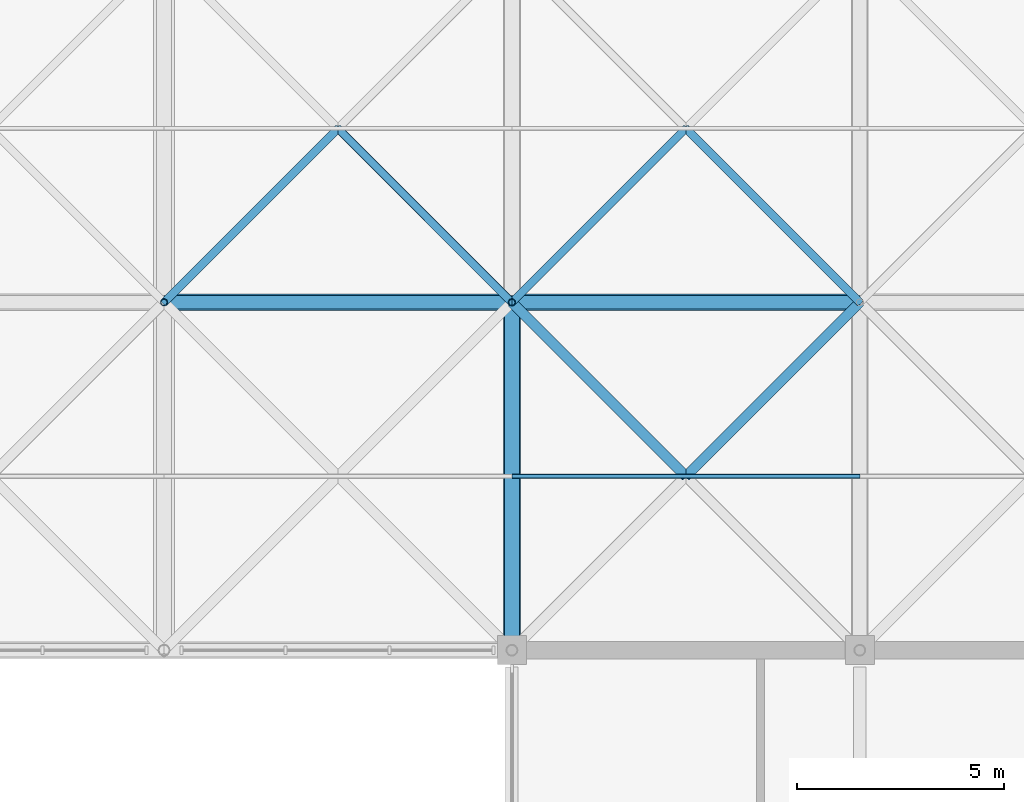
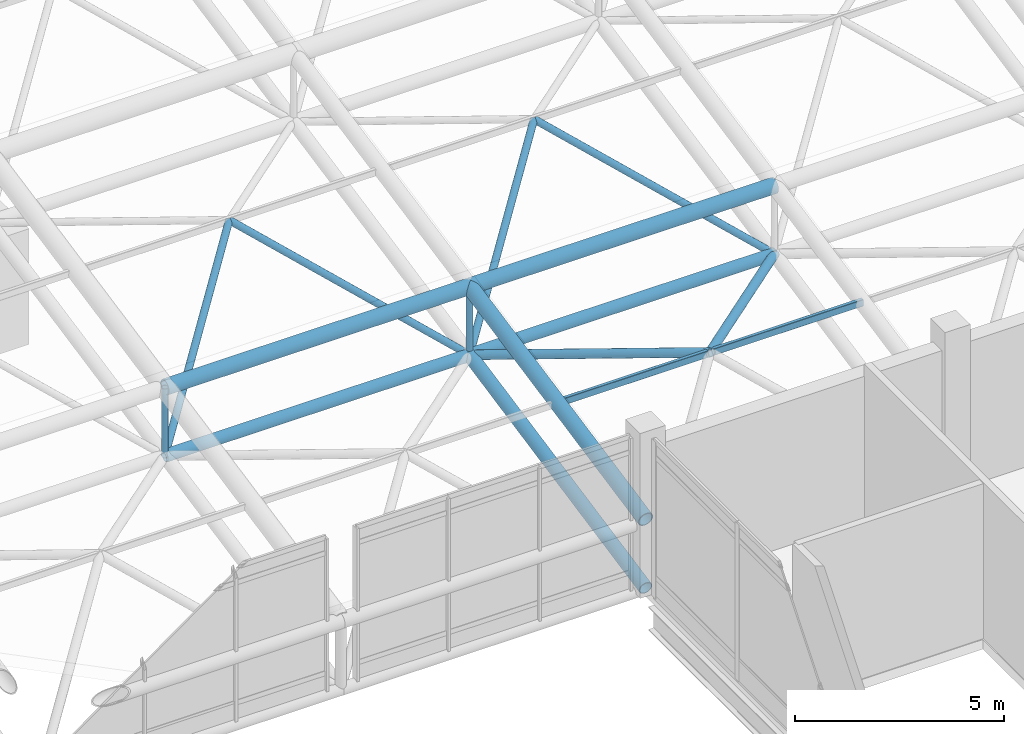
# One storey, part 28 of 110: 15 members.
"""IFC4 building model written with IfcOpenShell, lengths in metres."""

from ifc_helpers import new_model, si_unit, direction, frame, origin, origin_2d, place, context, subcontext, project, spatial, hollow_rectangle, hollow_circle, extrude, material, material_profile, profile_set, type_object, element, save


model = new_model("IFC4")

# Units and contexts
model_context = context("Model", 3, precision=1e-05, world=origin(), true_north=direction((0.0, 1.0)))
body_context = subcontext(model_context, "Body", "Model", "MODEL_VIEW")
ifc_project = project(units=[si_unit("LENGTHUNIT", "METRE"), si_unit("AREAUNIT", "SQUARE_METRE"), si_unit("VOLUMEUNIT", "CUBIC_METRE"), si_unit("PLANEANGLEUNIT", "RADIAN"), si_unit("MASSUNIT", "GRAM", prefix="KILO")], contexts=[model_context])

# Site, building, storey
site_placement = place(None, origin())
site = spatial("IfcSite", under=ifc_project, at=site_placement, CompositionType="ELEMENT")
building_placement = place(site_placement, origin())
building = spatial("IfcBuilding", under=site, at=building_placement, Name="Qawsi Khor Wholesale Market", CompositionType="ELEMENT")
storey_placement = place(building_placement, frame((0.0, 0.0, 11.39990234375)))
storey = spatial("IfcBuildingStorey", under=building, at=storey_placement, Name="L02", CompositionType="ELEMENT", Elevation=11.39990234375)

# Members
ifc_material = material(Name="Steel S355", Category="steel")
ifc_material_profile_1 = material_profile(ifc_material, hollow_circle(Radius=0.177734375, WallThickness=0.01611328125, at=origin_2d()), Name="CHS 355.6x16.0")
ifc_profile_set_1 = profile_set([ifc_material_profile_1], Name="Steel S355")
member_type_1 = type_object("IfcMemberType", Name="Space-Frame Bottom Chord CHS 355.6x16.0", PredefinedType="CHORD", material=ifc_profile_set_1)
member_1_placement = place(storey_placement, frame((168.0, 42.0, -0.02978515625), z_axis=(0.0, 0.980129990483, 0.1983562496), x_axis=(-1.0, 0.0, 0.0)))
element("IfcMember", 1, at=member_1_placement, inside=storey, type_object=member_type_1, Name="Space frame bottom chord Y EH (20,5)", PredefinedType="CHORD", context=body_context, shape_type="SweptSolid", body=[
    extrude(hollow_circle(Radius=0.177734375, WallThickness=0.01611328125, at=origin_2d()), origin(), (0.0, 0.0, 1.0), 8.5703125),
])
ifc_material_profile_2 = material_profile(ifc_material, hollow_circle(Radius=0.122314453125, WallThickness=0.012451171875, at=origin_2d()), Name="CHS 244.5x12.5")
ifc_profile_set_2 = profile_set([ifc_material_profile_2], Name="Steel S355")
member_type_2 = type_object("IfcMemberType", Name="Space-Frame Heavy Diagonal CHS 244.5x12.5", PredefinedType="POST", material=ifc_profile_set_2)
for number, where, z_axis, x_axis, name in (
    (2, (176.39990234375, 50.39990234375, 1.670166015625), (-0.694216714393, -0.694216714393, 0.190069216113), (0.707106781187, -0.707106781187, 0.0), "Space frame diagonal EH (20,5)-3"),
    (3, (168.0, 50.39990234375, 1.670166015625), (0.694216714393, -0.694216714393, 0.190069216113), (0.707106781187, 0.707106781187, 0.0), "Space frame diagonal EH (20,5)-4"),
):
    element("IfcMember", number, at=place(storey_placement, frame(where, z_axis=z_axis, x_axis=x_axis)), inside=storey, type_object=member_type_2, Name=name, PredefinedType="POST", context=body_context, shape_type="SweptSolid", body=[
        extrude(hollow_circle(Radius=0.122314453125, WallThickness=0.012451171875, at=origin_2d()), origin(), (0.0, 0.0, 1.0), 6.0498046875),
    ])
ifc_material_profile_3 = material_profile(ifc_material, hollow_rectangle(XDim=0.10009765625, YDim=0.199951171875, WallThickness=0.008056640625, InnerFilletRadius=0.008056640625, OuterFilletRadius=0.01611328125, at=origin_2d()), Name="RHS 200x100x8.0")
ifc_profile_set_3 = profile_set([ifc_material_profile_3], Name="Steel S355")
member_type_3 = type_object("IfcMemberType", Name="Space-Frame Purlin RHS 200x100x8.0", PredefinedType="PURLIN", material=ifc_profile_set_3)
member_2_placement = place(storey_placement, frame((168.0, 46.199951171875, 2.820068359375), z_axis=(1.0, 0.0, 0.0), x_axis=(0.0, 1.0, 0.0)))
element("IfcMember", 4, at=member_2_placement, inside=storey, type_object=member_type_3, Name="Space frame purlin EH (20,5)", PredefinedType="PURLIN", context=body_context, shape_type="SweptSolid", body=[
    extrude(hollow_rectangle(XDim=0.10009765625, YDim=0.199951171875, WallThickness=0.008056640625, InnerFilletRadius=0.008056640625, OuterFilletRadius=0.01611328125, at=origin_2d()), origin(), (0.0, 0.0, 1.0), 8.39990234375),
])
ifc_material_profile_4 = material_profile(ifc_material, hollow_circle(Radius=0.161865234375, WallThickness=0.01611328125, at=origin_2d()), Name="CHS 323.9x16.0")
ifc_profile_set_4 = profile_set([ifc_material_profile_4], Name="Steel S355")
member_type_4 = type_object("IfcMemberType", Name="Space-Frame Secondary Chord CHS 323.9x16.0", PredefinedType="CHORD", material=ifc_profile_set_4)
for number, where, z_axis, x_axis, name in (
    (5, (159.60009765625, 50.39990234375, 1.670166015625), (1.0, 0.0, 0.0), (0.0, 1.0, 0.0), "Space frame bottom chord X EH (19,6)"),
    (6, (168.0, 50.39990234375, 1.670166015625), (1.0, 0.0, 0.0), (0.0, 1.0, 0.0), "Space frame bottom chord X EH (20,6)"),
):
    element("IfcMember", number, at=place(storey_placement, frame(where, z_axis=z_axis, x_axis=x_axis)), inside=storey, type_object=member_type_4, Name=name, PredefinedType="CHORD", context=body_context, shape_type="SweptSolid", body=[
        extrude(hollow_circle(Radius=0.161865234375, WallThickness=0.01611328125, at=origin_2d()), origin(), (0.0, 0.0, 1.0), 8.39990234375),
    ])
ifc_material_profile_5 = material_profile(ifc_material, hollow_circle(Radius=0.096923828125, WallThickness=0.008056640625, at=origin_2d()), Name="CHS 193.7x8.0")
ifc_profile_set_5 = profile_set([ifc_material_profile_5], Name="Steel S355")
member_type_5 = type_object("IfcMemberType", Name="Space-Frame Secondary Diagonal CHS 193.7x8.0", PredefinedType="RAFTER", material=ifc_profile_set_5)
for number, where, z_axis, x_axis, name in (
    (7, (159.60009765625, 50.39990234375, 1.670166015625), (0.637506899628, 0.637543957519, 0.432576762155), (-0.707127332136, 0.70708622964, 0.0), "Space frame diagonal EH (19,6)-1"),
    (8, (168.0, 50.39990234375, 1.670166015625), (-0.637506899628, 0.637543957519, 0.432576762155), (-0.707127332136, -0.70708622964, 0.0), "Space frame diagonal EH (19,6)-2"),
    (9, (168.0, 50.39990234375, 1.670166015625), (0.637506899628, 0.637543957519, 0.432576762155), (-0.707127332136, 0.70708622964, 0.0), "Space frame diagonal EH (20,6)-1"),
    (10, (176.39990234375, 50.39990234375, 1.670166015625), (-0.637506899628, 0.637543957519, 0.432576762155), (-0.707127332136, -0.70708622964, 0.0), "Space frame diagonal EH (20,6)-2"),
):
    element("IfcMember", number, at=place(storey_placement, frame(where, z_axis=z_axis, x_axis=x_axis)), inside=storey, type_object=member_type_5, Name=name, PredefinedType="RAFTER", context=body_context, shape_type="SweptSolid", body=[
        extrude(hollow_circle(Radius=0.096923828125, WallThickness=0.008056640625, at=origin_2d()), origin(), (0.0, 0.0, 1.0), 6.588134765625),
    ])
ifc_material_profile_6 = material_profile(ifc_material, hollow_circle(Radius=0.203125, WallThickness=0.02001953125, at=origin_2d()), Name="CHS 406.4x20.0")
ifc_profile_set_6 = profile_set([ifc_material_profile_6], Name="Steel S355")
member_type_6 = type_object("IfcMemberType", Name="Space-Frame Top Chord CHS 406.4x20.0", PredefinedType="CHORD", material=ifc_profile_set_6)
member_3_placement = place(storey_placement, frame((159.60009765625, 50.39990234375, 3.670166015625), z_axis=(1.0, 0.0, 0.0), x_axis=(0.0, 1.0, 0.0)))
element("IfcMember", 11, at=member_3_placement, inside=storey, type_object=member_type_6, Name="Space frame top chord X EH (19,6)", PredefinedType="CHORD", context=body_context, shape_type="SweptSolid", body=[
    extrude(hollow_circle(Radius=0.203125, WallThickness=0.02001953125, at=origin_2d()), origin(), (0.0, 0.0, 1.0), 8.39990234375),
])
member_4_placement = place(storey_placement, frame((168.0, 42.0, 1.97021484375), z_axis=(0.0, 0.980129990483, 0.1983562496), x_axis=(-1.0, 0.0, 0.0)))
element("IfcMember", 12, at=member_4_placement, inside=storey, type_object=member_type_6, Name="Space frame top chord Y EH (20,5)", PredefinedType="CHORD", context=body_context, shape_type="SweptSolid", body=[
    extrude(hollow_circle(Radius=0.203125, WallThickness=0.02001953125, at=origin_2d()), origin(), (0.0, 0.0, 1.0), 8.5703125),
])
member_5_placement = place(storey_placement, frame((168.0, 50.39990234375, 3.670166015625), z_axis=(1.0, 0.0, 0.0), x_axis=(0.0, 1.0, 0.0)))
element("IfcMember", 13, at=member_5_placement, inside=storey, type_object=member_type_6, Name="Space frame top chord X EH (20,6)", PredefinedType="CHORD", context=body_context, shape_type="SweptSolid", body=[
    extrude(hollow_circle(Radius=0.203125, WallThickness=0.02001953125, at=origin_2d()), origin(), (0.0, 0.0, 1.0), 8.39990234375),
])
ifc_material_profile_7 = material_profile(ifc_material, hollow_circle(Radius=0.084228515625, WallThickness=0.008056640625, at=origin_2d()), Name="CHS 168.3x8.0")
ifc_profile_set_7 = profile_set([ifc_material_profile_7], Name="Steel S355")
member_type_7 = type_object("IfcMemberType", Name="Space-Frame Vertical Strut CHS 168.3x8.0", PredefinedType="STRUT", material=ifc_profile_set_7)
for number, where, z_axis, x_axis, name in (
    (14, (159.60009765625, 50.39990234375, 1.670166015625), (0.0, 0.0, 1.0), (1.0, 0.0, 0.0), "Space frame post EH (19,6)"),
    (15, (168.0, 50.39990234375, 1.670166015625), (0.0, 0.0, 1.0), (1.0, 0.0, 0.0), "Space frame post EH (20,6)"),
):
    element("IfcMember", number, at=place(storey_placement, frame(where, z_axis=z_axis, x_axis=x_axis)), inside=storey, type_object=member_type_7, Name=name, PredefinedType="STRUT", context=body_context, shape_type="SweptSolid", body=[
        extrude(hollow_circle(Radius=0.084228515625, WallThickness=0.008056640625, at=origin_2d()), origin(), (0.0, 0.0, 1.0), 2.0),
    ])

save(model, "model.ifc")
